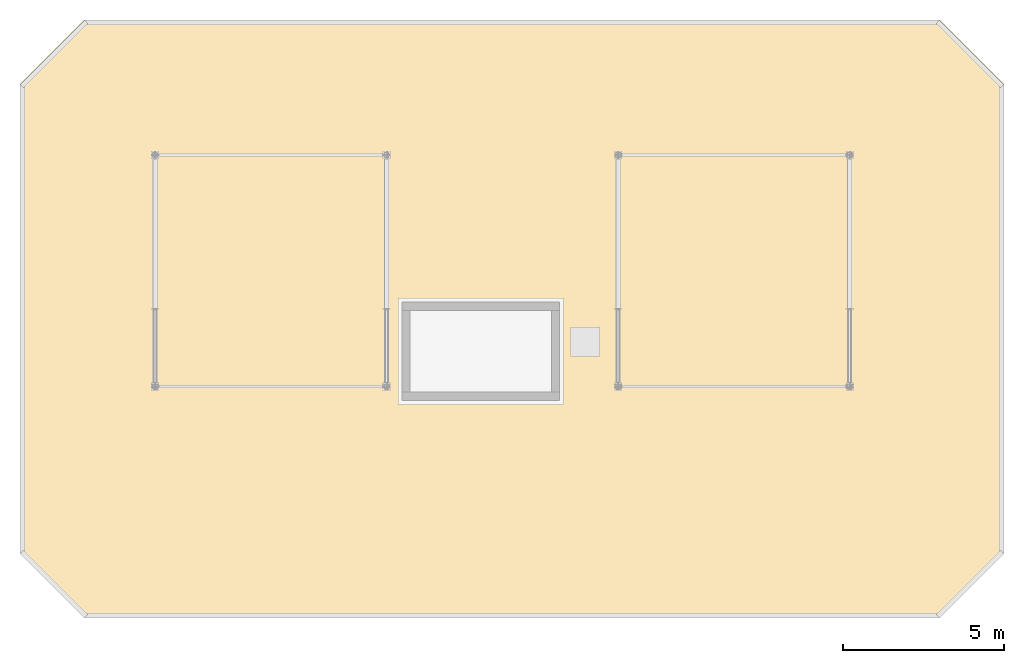
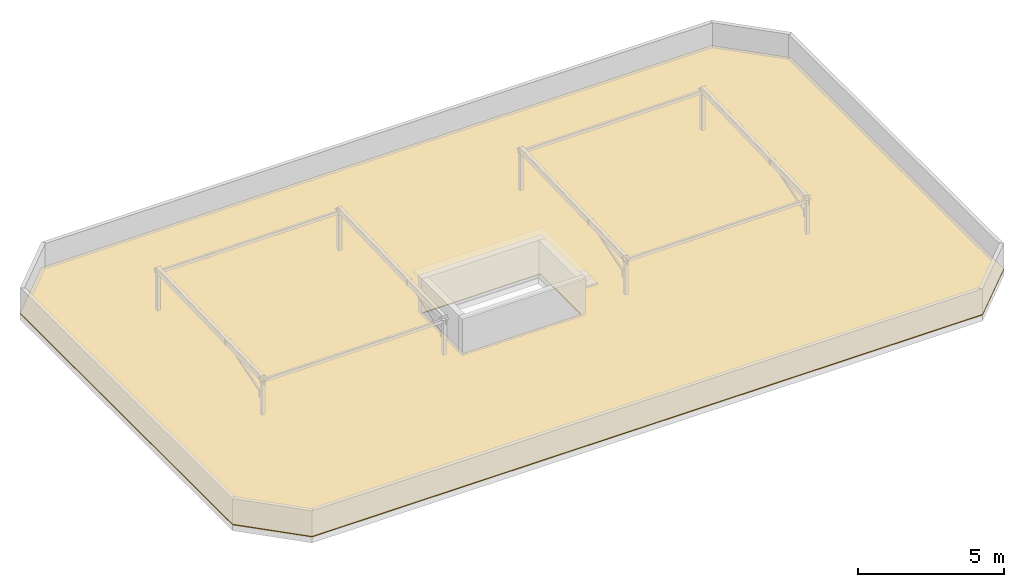
# One storey, part 7 of 7: 1 covering.
"""IFC4 building model written with IfcOpenShell, lengths in metres."""

import ifcopenshell
import ifcopenshell.guid

model = None  # the IFC model being written
_history = None  # IfcOwnerHistory: only IFC2X3 demands one
_inside = {}  # id of a spatial element -> (the spatial element, [elements in it])
_under = {}  # id of a project, library or spatial element -> (it, [spatial elements below it])
_declared = {}  # id of a project -> (the project, [libraries it declares])
_typed = {}  # id of a type object -> (the type object, [elements of that type])
_made_of = {}  # id of a material, layer set ... -> (it, [elements and type objects made of it])


def new_model(schema):
    """Start an empty IFC model of exactly this schema.

    Asked for "IFC4X3", IfcOpenShell would pick the latest addendum, in which some entities
    have other attributes; the version numbers below select the first issue.
    IFC2X3 requires an IfcOwnerHistory on every rooted entity: one is made here for all.
    """
    global model, _history
    if schema == "IFC4X3":
        model = ifcopenshell.file(schema_version=(4, 3, 0, 0))
    else:
        model = ifcopenshell.file(schema=schema)
    _inside.clear()
    _under.clear()
    _declared.clear()
    _typed.clear()
    _made_of.clear()
    _history = None
    if model.schema == "IFC2X3":
        org = make("IfcOrganization", Name="unknown")
        user = make(
            "IfcPersonAndOrganization",
            ThePerson=make("IfcPerson", FamilyName="unknown"),
            TheOrganization=org,
        )
        app = make(
            "IfcApplication",
            ApplicationDeveloper=org,
            Version="unknown",
            ApplicationFullName="unknown",
            ApplicationIdentifier="unknown",
        )
        _history = make(
            "IfcOwnerHistory",
            OwningUser=user,
            OwningApplication=app,
            ChangeAction="ADDED",
            CreationDate=0,
        )
    return model


def make(cls, **values):
    """One entity of the class cls with the attributes given. An attribute that is None is left unset."""
    return model.create_entity(
        cls, **{name: value for name, value in values.items() if value is not None}
    )


def rooted(cls, **values):
    """An entity with a GlobalId (a new one), such as an element, a storey or a relation."""
    return make(cls, GlobalId=ifcopenshell.guid.new(), OwnerHistory=_history, **values)


def si_unit(unit_type, name, prefix=None):
    """IfcSIUnit, for example si_unit("LENGTHUNIT", "METRE", prefix="MILLI")."""
    return make("IfcSIUnit", UnitType=unit_type, Prefix=prefix, Name=name)


def assignment(units):
    """IfcUnitAssignment: the units of a project."""
    return None if units is None else make("IfcUnitAssignment", Units=units)


def point(xyz):
    """IfcCartesianPoint."""
    return None if xyz is None else make("IfcCartesianPoint", Coordinates=xyz)


def direction(xyz):
    """IfcDirection."""
    return None if xyz is None else make("IfcDirection", DirectionRatios=xyz)


def frame(location, z_axis=None, x_axis=None):
    """IfcAxis2Placement3D, a coordinate frame: its origin and axes. An axis left out is left unset."""
    return make(
        "IfcAxis2Placement3D",
        Location=point(location),
        Axis=direction(z_axis),
        RefDirection=direction(x_axis),
    )


def origin():
    """The frame at (0, 0, 0) with its axes left unset."""
    return frame((0.0, 0.0, 0.0))


def place(relative_to, where):
    """IfcLocalPlacement: puts the frame where relative to a parent placement (None: the world)."""
    return make(
        "IfcLocalPlacement", PlacementRelTo=relative_to, RelativePlacement=where
    )


def context(
    kind, dimensions, precision=None, world=None, true_north=None, identifier=None
):
    """IfcGeometricRepresentationContext, for example the 3D "Model" context."""
    return make(
        "IfcGeometricRepresentationContext",
        ContextIdentifier=identifier,
        ContextType=kind,
        CoordinateSpaceDimension=dimensions,
        Precision=precision,
        WorldCoordinateSystem=world,
        TrueNorth=true_north,
    )


def subcontext(parent, identifier, kind, view, scale=None):
    """IfcGeometricRepresentationSubContext, for example "Body" below "Model"."""
    return make(
        "IfcGeometricRepresentationSubContext",
        ContextIdentifier=identifier,
        ContextType=kind,
        ParentContext=parent,
        TargetScale=scale,
        TargetView=view,
    )


def project(units=None, contexts=None):
    """IfcProject with its units and contexts."""
    return rooted(
        "IfcProject",
        Name="project",
        RepresentationContexts=contexts,
        UnitsInContext=assignment(units),
    )


def spatial(cls, under=None, at=None, **own):
    """A site, building, storey or space (cls), placed at a placement, below another one or the project."""
    s = rooted(cls, ObjectPlacement=at, **own)
    if under is not None:
        _under.setdefault(under.id(), (under, []))[1].append(s)
    return s


def polyline(points):
    """IfcPolyline through the points."""
    return make("IfcPolyline", Points=[point(p) for p in points])


def outline(outer, holes=None, kind="AREA"):
    """IfcArbitraryClosedProfileDef: a profile drawn as a closed curve; with holes, ...WithVoids."""
    if holes is None:
        return make("IfcArbitraryClosedProfileDef", ProfileType=kind, OuterCurve=outer)
    return make(
        "IfcArbitraryProfileDefWithVoids",
        ProfileType=kind,
        OuterCurve=outer,
        InnerCurves=holes,
    )


def extrude(swept, where, along, depth):
    """IfcExtrudedAreaSolid: the profile swept, set in the frame where, extruded along a direction by depth."""
    return make(
        "IfcExtrudedAreaSolid",
        SweptArea=swept,
        Position=where,
        ExtrudedDirection=direction(along),
        Depth=depth,
    )


def shape(context_of_items, identifier, shape_type, items):
    """IfcShapeRepresentation: the items that make up one representation, for example the "Body"."""
    return make(
        "IfcShapeRepresentation",
        ContextOfItems=context_of_items,
        RepresentationIdentifier=identifier,
        RepresentationType=shape_type,
        Items=items,
    )


def material(Name=None, Category=None):
    """IfcMaterial."""
    return make("IfcMaterial", Name=Name, Category=Category)


def layer(
    of_material, thickness, ventilated=None, Name=None, Category=None, Priority=None
):
    """IfcMaterialLayer: one layer of a wall or slab, of a material (None: an air gap)."""
    return make(
        "IfcMaterialLayer",
        Material=of_material,
        LayerThickness=thickness,
        IsVentilated=ventilated,
        Name=Name,
        Category=Category,
        Priority=Priority,
    )


def layer_set(layers, Name=None):
    """IfcMaterialLayerSet."""
    return make("IfcMaterialLayerSet", MaterialLayers=layers, LayerSetName=Name)


def made_of(thing, what):
    """Note that an element or type object is made of a material, layer set ...; save() writes the relation."""
    if what is not None:
        _made_of.setdefault(what.id(), (what, []))[1].append(thing)
    return thing


def type_object(cls, material=None, **own):
    """A type object (cls), such as IfcWallType, which elements share."""
    return made_of(rooted(cls, **own), material)


def element(
    cls,
    number,
    at=None,
    inside=None,
    cuts=None,
    type_object=None,
    material=None,
    context=None,
    identifier="Body",
    shape_type=None,
    held_by="IfcProductDefinitionShape",
    body=None,
    shapes=None,
    **own,
):
    """One element of the class cls, such as IfcWall. Its Tag is "e" and its number.

    at: its placement. inside: the storey or other place that contains it. cuts: it is an
    opening in that element (IfcRelVoidsElement). A single representation is given by context,
    identifier, shape_type and body (its items); several are given by shapes. held_by: the class
    of the entity that holds the representations. save() writes the other relations.
    """
    e = rooted(cls, Tag="e%d" % number, ObjectPlacement=at, **own)
    if body is not None:
        shapes = [shape(context, identifier, shape_type, body)]
    if shapes is not None:
        e.Representation = make(held_by, Representations=shapes)
    if inside is not None:
        _inside.setdefault(inside.id(), (inside, []))[1].append(e)
    if cuts is not None:
        rooted(
            "IfcRelVoidsElement", RelatingBuildingElement=cuts, RelatedOpeningElement=e
        )
    if type_object is not None:
        _typed.setdefault(type_object.id(), (type_object, []))[1].append(e)
    return made_of(e, material)


def aggregate(whole, parts):
    """IfcRelAggregates: a whole, such as a stair, and the parts it consists of."""
    return rooted("IfcRelAggregates", RelatingObject=whole, RelatedObjects=parts)


def save(model, path):
    """Write the relations noted so far, then the file.

    IfcRelAggregates (storeys below a building ...), IfcRelContainedInSpatialStructure (elements
    in a storey), IfcRelDefinesByType, IfcRelAssociatesMaterial and IfcRelDeclares: one each for
    every whole, place, type object, material and project.
    """
    for whole, parts in _under.values():
        aggregate(whole, parts)
    for where, things in _inside.values():
        rooted(
            "IfcRelContainedInSpatialStructure",
            RelatedElements=things,
            RelatingStructure=where,
        )
    for kind, things in _typed.values():
        rooted("IfcRelDefinesByType", RelatedObjects=things, RelatingType=kind)
    for what, things in _made_of.values():
        rooted("IfcRelAssociatesMaterial", RelatedObjects=things, RelatingMaterial=what)
    for by, libraries in _declared.values():
        rooted("IfcRelDeclares", RelatingContext=by, RelatedDefinitions=libraries)
    model.write(path)


model = new_model("IFC4")

# Units and contexts
model_context = context("Model", 3, precision=1e-05, world=origin(), true_north=direction((0.0, 1.0)))
body_context = subcontext(model_context, "Body", "Model", "MODEL_VIEW")
ifc_project = project(units=[si_unit("LENGTHUNIT", "METRE"), si_unit("AREAUNIT", "SQUARE_METRE"), si_unit("VOLUMEUNIT", "CUBIC_METRE"), si_unit("PLANEANGLEUNIT", "RADIAN"), si_unit("MASSUNIT", "GRAM", prefix="KILO")], contexts=[model_context])

# Site, building, storey
site_placement = place(None, origin())
site = spatial("IfcSite", under=ifc_project, at=site_placement, CompositionType="ELEMENT")
building_placement = place(site_placement, origin())
building = spatial("IfcBuilding", under=site, at=building_placement, Name="Ochrevale Crest", CompositionType="ELEMENT")
storey_placement = place(building_placement, frame((0.0, 0.0, 52.800048828125)))
storey = spatial("IfcBuildingStorey", under=building, at=storey_placement, Name="RF", CompositionType="ELEMENT", Elevation=52.800048828125)

# Covering
ifc_material = material(Name="SBS polymer-modified bitumen waterproofing membrane", Category="bitumen")
ifc_layer = layer(ifc_material, 0.034912109375)
ifc_layer_set = layer_set([ifc_layer], Name="SBS polymer-modified bitumen waterproofing membrane")
covering_type = type_object("IfcCoveringType", Name="COV-ROOF-MEM", PredefinedType="ROOFING", material=ifc_layer_set)
covering_placement = place(storey_placement, origin())
element("IfcCovering", 1, at=covering_placement, inside=storey, type_object=covering_type, Name="Block D SBS waterproofing roof membrane", PredefinedType="ROOFING", context=body_context, shape_type="SweptSolid", body=[
    extrude(outline(polyline([(134.60009765625, 72.0), (161.199951171875, 72.0), (163.199951171875, 74.0), (163.199951171875, 88.60009765625), (161.199951171875, 90.60009765625), (134.60009765625, 90.60009765625), (132.60009765625, 88.60009765625), (132.60009765625, 74.0), (134.60009765625, 72.0)]), holes=[polyline([(144.60009765625, 78.89990234375), (149.25, 78.89990234375), (149.25, 81.699951171875), (144.60009765625, 81.699951171875), (144.60009765625, 78.89990234375)])]), origin(), (0.0, 0.0, 1.0), 0.034912109375),
])

save(model, "model.ifc")
